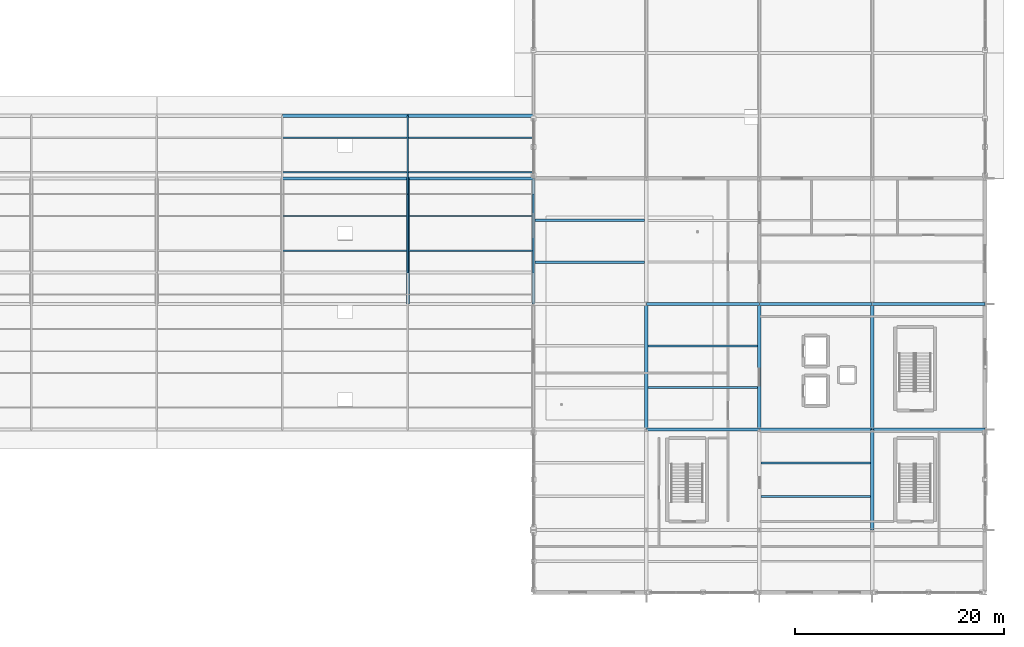
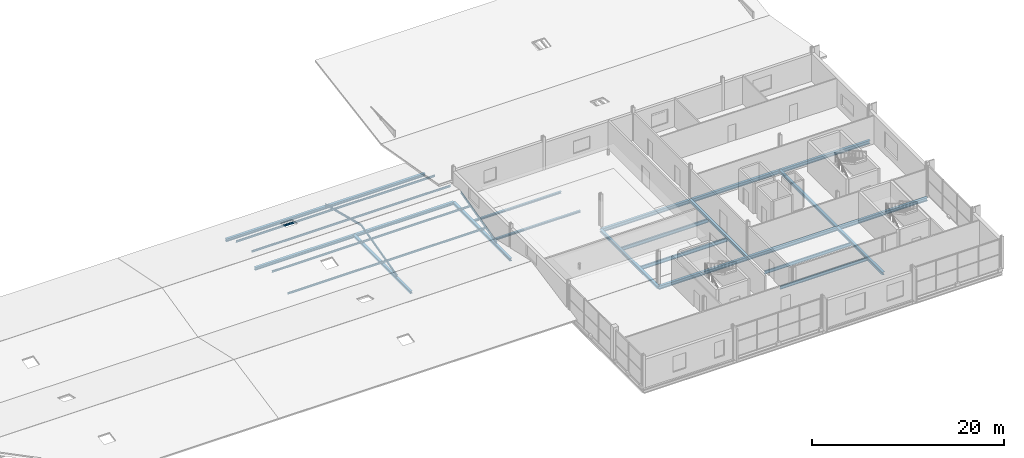
# One storey, part 80 of 117: 22 beams, 11 members.
"""IFC4 building model written with IfcOpenShell, lengths in metres."""

from ifc_helpers import new_model, si_unit, direction, frame, origin, origin_2d, place, context, subcontext, project, spatial, i_section, extrude, material, material_profile, profile_set, type_object, element, save


model = new_model("IFC4")

# Units and contexts
model_context = context("Model", 3, precision=1e-05, world=origin(), true_north=direction((0.0, 1.0)))
body_context = subcontext(model_context, "Body", "Model", "MODEL_VIEW")
ifc_project = project(units=[si_unit("LENGTHUNIT", "METRE"), si_unit("AREAUNIT", "SQUARE_METRE"), si_unit("VOLUMEUNIT", "CUBIC_METRE"), si_unit("PLANEANGLEUNIT", "RADIAN"), si_unit("MASSUNIT", "GRAM", prefix="KILO")], contexts=[model_context])

# Site, building, storey
site_placement = place(None, origin())
site = spatial("IfcSite", under=ifc_project, at=site_placement, CompositionType="ELEMENT")
building_placement = place(site_placement, origin())
building = spatial("IfcBuilding", under=site, at=building_placement, Name="Merenkruunu Market Hall", CompositionType="ELEMENT")
storey_placement = place(building_placement, frame((0.0, 0.0, 10.199951171875)))
storey = spatial("IfcBuildingStorey", under=building, at=storey_placement, Name="L02", CompositionType="ELEMENT", Elevation=10.199951171875)

# Beams
ifc_material_1 = material(Name="Steel S355J2", Category="steel")
ifc_material_profile_1 = material_profile(ifc_material_1, i_section(OverallWidth=0.300048828125, OverallDepth=0.43994140625, WebThickness=0.011474609375, FlangeThickness=0.02099609375, FilletRadius=0.027099609375, at=origin_2d()), Name="HEA 450")
ifc_profile_set_1 = profile_set([ifc_material_profile_1], Name="Steel S355J2")
beam_type_1 = type_object("IfcBeamType", Name="Primary Floor Girder B07", PredefinedType="BEAM", material=ifc_profile_set_1)
beam_1_placement = place(storey_placement, frame((159.60009765625, 15.60009765625, -0.530029296875), z_axis=(1.0, 0.0, 0.0), x_axis=(0.0, 1.0, 0.0)))
element("IfcBeam", 1, at=beam_1_placement, inside=storey, type_object=beam_type_1, Name="BM-L02-B07-0749", PredefinedType="BEAM", context=body_context, shape_type="SweptSolid", body=[
    extrude(i_section(OverallWidth=0.300048828125, OverallDepth=0.43994140625, WebThickness=0.011474609375, FlangeThickness=0.02099609375, FilletRadius=0.027099609375, at=origin_2d()), origin(), (0.0, 0.0, 1.0), 10.7998046875),
])
for number, where, z_axis, x_axis, name in (
    (2, (170.39990234375, 15.60009765625, -0.530029296875), (1.0, 0.0, 0.0), (0.0, 1.0, 0.0), "BM-L02-B07-0750"),
    (3, (181.199951171875, 15.60009765625, -0.530029296875), (1.0, 0.0, 0.0), (0.0, 1.0, 0.0), "BM-L02-B07-0751"),
):
    element("IfcBeam", number, at=place(storey_placement, frame(where, z_axis=z_axis, x_axis=x_axis)), inside=storey, type_object=beam_type_1, Name=name, PredefinedType="BEAM", context=body_context, shape_type="SweptSolid", body=[
        extrude(i_section(OverallWidth=0.300048828125, OverallDepth=0.43994140625, WebThickness=0.011474609375, FlangeThickness=0.02099609375, FilletRadius=0.027099609375, at=origin_2d()), origin(), (0.0, 0.0, 1.0), 10.800048828125),
    ])
beam_2_placement = place(storey_placement, frame((159.60009765625, 27.60009765625, -0.530029296875), z_axis=(1.0, 0.0, 0.0), x_axis=(0.0, 1.0, 0.0)))
element("IfcBeam", 4, at=beam_2_placement, inside=storey, type_object=beam_type_1, Name="BM-L02-B07-0759", PredefinedType="BEAM", context=body_context, shape_type="SweptSolid", body=[
    extrude(i_section(OverallWidth=0.300048828125, OverallDepth=0.43994140625, WebThickness=0.011474609375, FlangeThickness=0.02099609375, FilletRadius=0.027099609375, at=origin_2d()), origin(), (0.0, 0.0, 1.0), 10.7998046875),
])
for number, where, z_axis, x_axis, name in (
    (5, (170.39990234375, 27.60009765625, -0.530029296875), (1.0, 0.0, 0.0), (0.0, 1.0, 0.0), "BM-L02-B07-0760"),
    (6, (181.199951171875, 27.60009765625, -0.530029296875), (1.0, 0.0, 0.0), (0.0, 1.0, 0.0), "BM-L02-B07-0761"),
):
    element("IfcBeam", number, at=place(storey_placement, frame(where, z_axis=z_axis, x_axis=x_axis)), inside=storey, type_object=beam_type_1, Name=name, PredefinedType="BEAM", context=body_context, shape_type="SweptSolid", body=[
        extrude(i_section(OverallWidth=0.300048828125, OverallDepth=0.43994140625, WebThickness=0.011474609375, FlangeThickness=0.02099609375, FilletRadius=0.027099609375, at=origin_2d()), origin(), (0.0, 0.0, 1.0), 10.800048828125),
    ])
ifc_material_profile_2 = material_profile(ifc_material_1, i_section(OverallWidth=0.300048828125, OverallDepth=0.35009765625, WebThickness=0.010009765625, FlangeThickness=0.017578125, FilletRadius=0.027099609375, at=origin_2d()), Name="HEA 360")
ifc_profile_set_2 = profile_set([ifc_material_profile_2], Name="Steel S355J2")
beam_type_2 = type_object("IfcBeamType", Name="Primary Floor Girder B08", PredefinedType="BEAM", material=ifc_profile_set_2)
for number, where, z_axis, x_axis, name in (
    (7, (148.800048828125, 27.60009765625, -0.48486328125), (0.0, 1.0, 0.0), (-1.0, 0.0, 0.0), "BM-L02-B08-0799"),
    (8, (159.60009765625, 15.60009765625, -0.48486328125), (0.0, 1.0, 0.0), (-1.0, 0.0, 0.0), "BM-L02-B08-0802"),
    (9, (170.39990234375, 15.60009765625, -0.48486328125), (0.0, 1.0, 0.0), (-1.0, 0.0, 0.0), "BM-L02-B08-0806"),
):
    element("IfcBeam", number, at=place(storey_placement, frame(where, z_axis=z_axis, x_axis=x_axis)), inside=storey, type_object=beam_type_2, Name=name, PredefinedType="BEAM", context=body_context, shape_type="SweptSolid", body=[
        extrude(i_section(OverallWidth=0.300048828125, OverallDepth=0.35009765625, WebThickness=0.010009765625, FlangeThickness=0.017578125, FilletRadius=0.027099609375, at=origin_2d()), origin(), (0.0, 0.0, 1.0), 12.0),
    ])
beam_3_placement = place(storey_placement, frame((181.199951171875, 6.0, -0.48486328125), z_axis=(0.0, 1.0, 0.0), x_axis=(-1.0, 0.0, 0.0)))
element("IfcBeam", 10, at=beam_3_placement, inside=storey, type_object=beam_type_2, Name="BM-L02-B08-0809", PredefinedType="BEAM", context=body_context, shape_type="SweptSolid", body=[
    extrude(i_section(OverallWidth=0.300048828125, OverallDepth=0.35009765625, WebThickness=0.010009765625, FlangeThickness=0.017578125, FilletRadius=0.027099609375, at=origin_2d()), origin(), (0.0, 0.0, 1.0), 9.60009765625),
])
for number, where, z_axis, x_axis, name in (
    (11, (181.199951171875, 15.60009765625, -0.48486328125), (0.0, 1.0, 0.0), (-1.0, 0.0, 0.0), "BM-L02-B08-0810"),
    (12, (124.800048828125, 39.60009765625, -0.48486328125), (1.0, 0.0, 0.0), (0.0, 1.0, 0.0), "BM-L02-B08-1206"),
    (13, (124.800048828125, 45.60009765625, -0.48486328125), (1.0, 0.0, 0.0), (0.0, 1.0, 0.0), "BM-L02-B08-1207"),
    (14, (136.800048828125, 39.60009765625, -0.48486328125), (1.0, 0.0, 0.0), (0.0, 1.0, 0.0), "BM-L02-B08-1212"),
    (15, (136.800048828125, 45.60009765625, -0.48486328125), (1.0, 0.0, 0.0), (0.0, 1.0, 0.0), "BM-L02-B08-1213"),
):
    element("IfcBeam", number, at=place(storey_placement, frame(where, z_axis=z_axis, x_axis=x_axis)), inside=storey, type_object=beam_type_2, Name=name, PredefinedType="BEAM", context=body_context, shape_type="SweptSolid", body=[
        extrude(i_section(OverallWidth=0.300048828125, OverallDepth=0.35009765625, WebThickness=0.010009765625, FlangeThickness=0.017578125, FilletRadius=0.027099609375, at=origin_2d()), origin(), (0.0, 0.0, 1.0), 12.0),
    ])
ifc_material_profile_3 = material_profile(ifc_material_1, i_section(OverallWidth=0.300048828125, OverallDepth=0.2900390625, WebThickness=0.008544921875, FlangeThickness=0.013916015625, FilletRadius=0.027099609375, at=origin_2d()), Name="HEA 300")
ifc_profile_set_3 = profile_set([ifc_material_profile_3], Name="Steel S355J2")
beam_type_3 = type_object("IfcBeamType", Name="Primary Floor Girder B09", PredefinedType="BEAM", material=ifc_profile_set_3)
beam_4_placement = place(storey_placement, frame((136.800048828125, 27.60009765625, -0.445068359375), z_axis=(0.0, 1.0, 0.0), x_axis=(-1.0, 0.0, 0.0)))
element("IfcBeam", 16, at=beam_4_placement, inside=storey, type_object=beam_type_3, Name="BM-L02-B09-1219", PredefinedType="BEAM", context=body_context, shape_type="SweptSolid", body=[
    extrude(i_section(OverallWidth=0.300048828125, OverallDepth=0.2900390625, WebThickness=0.008544921875, FlangeThickness=0.013916015625, FilletRadius=0.027099609375, at=origin_2d()), origin(), (0.0, 0.0, 1.0), 12.0),
])

# Members
ifc_material_2 = material(Name="Steel S355ML", Category="steel")
ifc_material_profile_4 = material_profile(ifc_material_2, i_section(OverallWidth=0.1201171875, OverallDepth=0.239990234375, WebThickness=0.006103515625, FlangeThickness=0.009765625, FilletRadius=0.014892578125, at=origin_2d()), Name="IPE 240")
ifc_profile_set_4 = profile_set([ifc_material_profile_4], Name="Steel S355ML")
member_type = type_object("IfcMemberType", Name="Roof Purlin Rafter PR02", PredefinedType="PURLIN", material=ifc_profile_set_4)
for number, where, z_axis, x_axis, name in (
    (17, (136.800048828125, 30.60009765625, -0.14990234375), (0.0, 0.969071803279, 0.246778929591), (-1.0, 0.0, 0.0), "MEM-V2-RAFT-023"),
    (18, (136.800048828125, 38.10009765625, 1.760009765625), (0.0, 0.969071803279, -0.246778929591), (-1.0, 0.0, 0.0), "MEM-V2-RAFT-024"),
    (19, (148.800048828125, 30.60009765625, -0.14990234375), (0.0, 0.969071803279, 0.246778929591), (-1.0, 0.0, 0.0), "MEM-V2-RAFT-027"),
):
    element("IfcMember", number, at=place(storey_placement, frame(where, z_axis=z_axis, x_axis=x_axis)), inside=storey, type_object=member_type, Name=name, PredefinedType="PURLIN", context=body_context, shape_type="SweptSolid", body=[
        extrude(i_section(OverallWidth=0.1201171875, OverallDepth=0.239990234375, WebThickness=0.006103515625, FlangeThickness=0.009765625, FilletRadius=0.014892578125, at=origin_2d()), origin(), (0.0, 0.0, 1.0), 7.7392578125),
    ])
for number, where, z_axis, x_axis, name in (
    (20, (124.804931640625, 32.699951171875, 0.52099609375), (1.0, 0.0, 0.0), (0.0, 1.0, 0.0), "MEM-V2-PURL-065"),
    (21, (124.804931640625, 36.0, 1.291015625), (1.0, 0.0, 0.0), (0.0, 1.0, 0.0), "MEM-V2-PURL-066"),
    (22, (124.804931640625, 40.199951171875, 1.31298828125), (1.0, 0.0, 0.0), (0.0, 1.0, 0.0), "MEM-V2-PURL-067"),
    (23, (124.804931640625, 43.5, 0.5791015625), (1.0, 0.0, 0.0), (0.0, 1.0, 0.0), "MEM-V2-PURL-068"),
    (24, (136.804931640625, 32.699951171875, 0.52099609375), (1.0, 0.0, 0.0), (0.0, 1.0, 0.0), "MEM-V2-PURL-073"),
    (25, (136.804931640625, 36.0, 1.291015625), (1.0, 0.0, 0.0), (0.0, 1.0, 0.0), "MEM-V2-PURL-074"),
    (26, (136.804931640625, 40.199951171875, 1.31298828125), (1.0, 0.0, 0.0), (0.0, 1.0, 0.0), "MEM-V2-PURL-075"),
    (27, (136.804931640625, 43.5, 0.5791015625), (1.0, 0.0, 0.0), (0.0, 1.0, 0.0), "MEM-V2-PURL-076"),
):
    element("IfcMember", number, at=place(storey_placement, frame(where, z_axis=z_axis, x_axis=x_axis)), inside=storey, type_object=member_type, Name=name, PredefinedType="PURLIN", context=body_context, shape_type="SweptSolid", body=[
        extrude(i_section(OverallWidth=0.1201171875, OverallDepth=0.239990234375, WebThickness=0.006103515625, FlangeThickness=0.009765625, FilletRadius=0.014892578125, at=origin_2d()), origin(), (0.0, 0.0, 1.0), 11.989990234375),
    ])

# Beams
ifc_material_profile_5 = material_profile(ifc_material_1, i_section(OverallWidth=0.18994140625, OverallDepth=0.449951171875, WebThickness=0.009521484375, FlangeThickness=0.0146484375, FilletRadius=0.02099609375, at=origin_2d()), Name="IPE 450")
ifc_profile_set_5 = profile_set([ifc_material_profile_5], Name="Steel S355J2")
beam_type_4 = type_object("IfcBeamType", Name="Secondary Floor Joist J01", PredefinedType="JOIST", material=ifc_profile_set_5)
for number, where, z_axis, x_axis, name in (
    (28, (159.7529296875, 19.60009765625, -0.534912109375), (1.0, 0.0, 0.0), (0.0, 1.0, 0.0), "BM-L02-J01-0843"),
    (29, (159.7529296875, 23.60009765625, -0.534912109375), (1.0, 0.0, 0.0), (0.0, 1.0, 0.0), "BM-L02-J01-0844"),
):
    element("IfcBeam", number, at=place(storey_placement, frame(where, z_axis=z_axis, x_axis=x_axis)), inside=storey, type_object=beam_type_4, Name=name, PredefinedType="JOIST", context=body_context, shape_type="SweptSolid", body=[
        extrude(i_section(OverallWidth=0.18994140625, OverallDepth=0.449951171875, WebThickness=0.009521484375, FlangeThickness=0.0146484375, FilletRadius=0.02099609375, at=origin_2d()), origin(), (0.0, 0.0, 1.0), 10.494140625),
    ])
ifc_material_profile_6 = material_profile(ifc_material_1, i_section(OverallWidth=0.179931640625, OverallDepth=0.39990234375, WebThickness=0.008544921875, FlangeThickness=0.013427734375, FilletRadius=0.02099609375, at=origin_2d()), Name="IPE 400")
ifc_profile_set_6 = profile_set([ifc_material_profile_6], Name="Steel S355J2")
beam_type_5 = type_object("IfcBeamType", Name="Secondary Floor Joist J02", PredefinedType="JOIST", material=ifc_profile_set_6)
for number, where, z_axis, x_axis, name in (
    (30, (170.552978515625, 9.199951171875, -0.510009765625), (1.0, 0.0, 0.0), (0.0, 1.0, 0.0), "BM-L02-J02-0848"),
    (31, (170.552978515625, 12.39990234375, -0.510009765625), (1.0, 0.0, 0.0), (0.0, 1.0, 0.0), "BM-L02-J02-0849"),
):
    element("IfcBeam", number, at=place(storey_placement, frame(where, z_axis=z_axis, x_axis=x_axis)), inside=storey, type_object=beam_type_5, Name=name, PredefinedType="JOIST", context=body_context, shape_type="SweptSolid", body=[
        extrude(i_section(OverallWidth=0.179931640625, OverallDepth=0.39990234375, WebThickness=0.008544921875, FlangeThickness=0.013427734375, FilletRadius=0.02099609375, at=origin_2d()), origin(), (0.0, 0.0, 1.0), 10.494140625),
    ])
ifc_material_profile_7 = material_profile(ifc_material_1, i_section(OverallWidth=0.239990234375, OverallDepth=0.22998046875, WebThickness=0.007568359375, FlangeThickness=0.011962890625, FilletRadius=0.02099609375, at=origin_2d()), Name="HEA 240")
ifc_profile_set_7 = profile_set([ifc_material_profile_7], Name="Steel S355J2")
beam_type_6 = type_object("IfcBeamType", Name="Secondary Floor Joist J06", PredefinedType="JOIST", material=ifc_profile_set_7)
for number, where, z_axis, x_axis, name in (
    (32, (148.952880859375, 31.60009765625, -0.425048828125), (1.0, 0.0, 0.0), (0.0, 1.0, 0.0), "BM-L02-J06-0840"),
    (33, (148.952880859375, 35.60009765625, -0.425048828125), (1.0, 0.0, 0.0), (0.0, 1.0, 0.0), "BM-L02-J06-0841"),
):
    element("IfcBeam", number, at=place(storey_placement, frame(where, z_axis=z_axis, x_axis=x_axis)), inside=storey, type_object=beam_type_6, Name=name, PredefinedType="JOIST", context=body_context, shape_type="SweptSolid", body=[
        extrude(i_section(OverallWidth=0.239990234375, OverallDepth=0.22998046875, WebThickness=0.007568359375, FlangeThickness=0.011962890625, FilletRadius=0.02099609375, at=origin_2d()), origin(), (0.0, 0.0, 1.0), 10.494140625),
    ])

save(model, "model.ifc")
